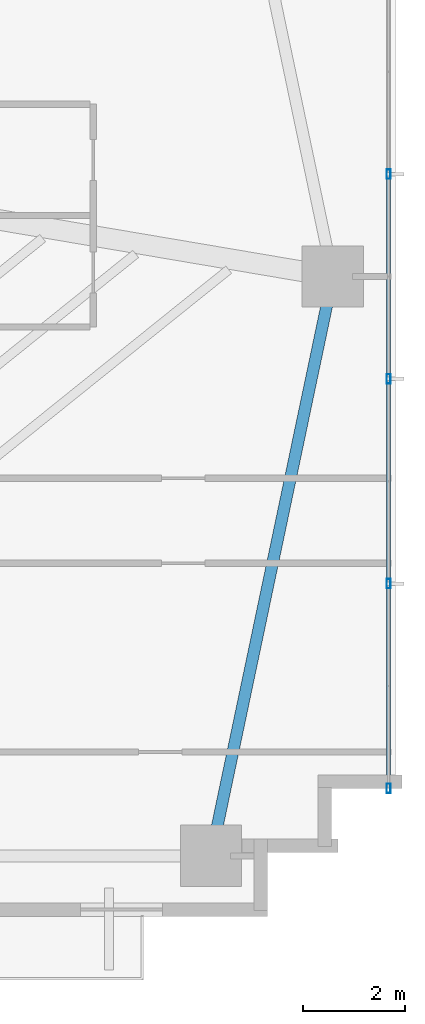
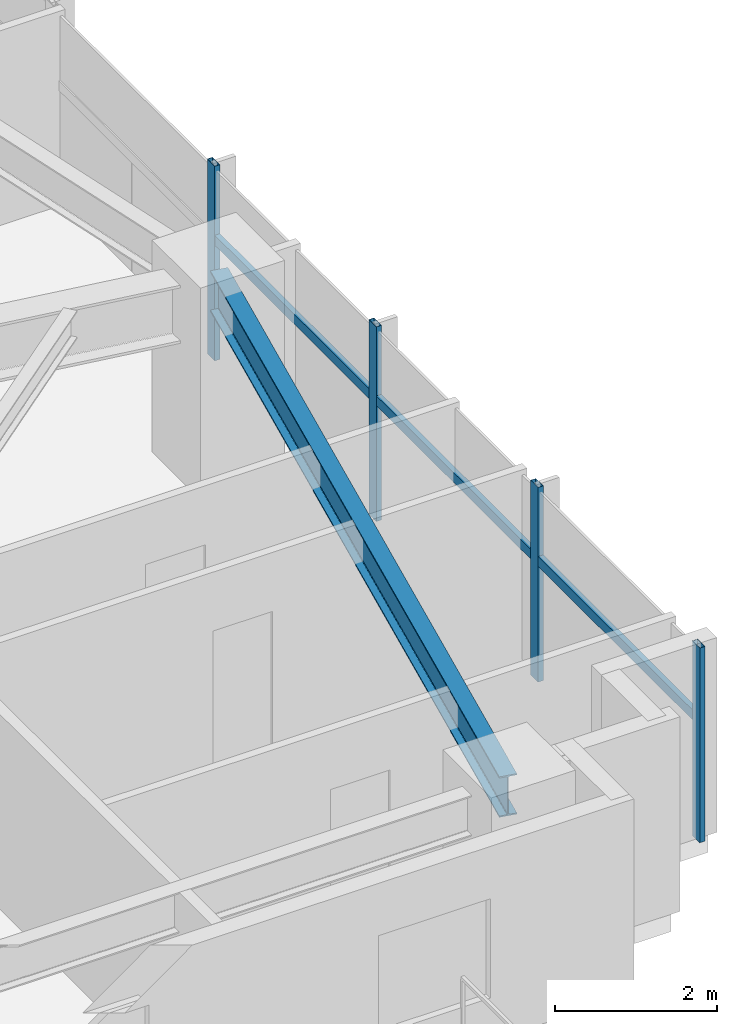
# One storey, part 14 of 25: 7 members, 1 beam, 1 element without a shape of its own.
"""IFC4 building model written with IfcOpenShell, lengths in metres."""

import ifcopenshell
import ifcopenshell.guid

model = None  # the IFC model being written
_history = None  # IfcOwnerHistory: only IFC2X3 demands one
_inside = {}  # id of a spatial element -> (the spatial element, [elements in it])
_under = {}  # id of a project, library or spatial element -> (it, [spatial elements below it])
_declared = {}  # id of a project -> (the project, [libraries it declares])
_typed = {}  # id of a type object -> (the type object, [elements of that type])
_made_of = {}  # id of a material, layer set ... -> (it, [elements and type objects made of it])


def new_model(schema):
    """Start an empty IFC model of exactly this schema.

    Asked for "IFC4X3", IfcOpenShell would pick the latest addendum, in which some entities
    have other attributes; the version numbers below select the first issue.
    IFC2X3 requires an IfcOwnerHistory on every rooted entity: one is made here for all.
    """
    global model, _history
    if schema == "IFC4X3":
        model = ifcopenshell.file(schema_version=(4, 3, 0, 0))
    else:
        model = ifcopenshell.file(schema=schema)
    _inside.clear()
    _under.clear()
    _declared.clear()
    _typed.clear()
    _made_of.clear()
    _history = None
    if model.schema == "IFC2X3":
        org = make("IfcOrganization", Name="unknown")
        user = make(
            "IfcPersonAndOrganization",
            ThePerson=make("IfcPerson", FamilyName="unknown"),
            TheOrganization=org,
        )
        app = make(
            "IfcApplication",
            ApplicationDeveloper=org,
            Version="unknown",
            ApplicationFullName="unknown",
            ApplicationIdentifier="unknown",
        )
        _history = make(
            "IfcOwnerHistory",
            OwningUser=user,
            OwningApplication=app,
            ChangeAction="ADDED",
            CreationDate=0,
        )
    return model


def make(cls, **values):
    """One entity of the class cls with the attributes given. An attribute that is None is left unset."""
    return model.create_entity(
        cls, **{name: value for name, value in values.items() if value is not None}
    )


def rooted(cls, **values):
    """An entity with a GlobalId (a new one), such as an element, a storey or a relation."""
    return make(cls, GlobalId=ifcopenshell.guid.new(), OwnerHistory=_history, **values)


def si_unit(unit_type, name, prefix=None):
    """IfcSIUnit, for example si_unit("LENGTHUNIT", "METRE", prefix="MILLI")."""
    return make("IfcSIUnit", UnitType=unit_type, Prefix=prefix, Name=name)


def assignment(units):
    """IfcUnitAssignment: the units of a project."""
    return None if units is None else make("IfcUnitAssignment", Units=units)


def point(xyz):
    """IfcCartesianPoint."""
    return None if xyz is None else make("IfcCartesianPoint", Coordinates=xyz)


def direction(xyz):
    """IfcDirection."""
    return None if xyz is None else make("IfcDirection", DirectionRatios=xyz)


def frame(location, z_axis=None, x_axis=None):
    """IfcAxis2Placement3D, a coordinate frame: its origin and axes. An axis left out is left unset."""
    return make(
        "IfcAxis2Placement3D",
        Location=point(location),
        Axis=direction(z_axis),
        RefDirection=direction(x_axis),
    )


def frame_2d(location, x_axis=None):
    """IfcAxis2Placement2D, a coordinate frame in the plane: its origin and x axis."""
    return make(
        "IfcAxis2Placement2D", Location=point(location), RefDirection=direction(x_axis)
    )


def origin():
    """The frame at (0, 0, 0) with its axes left unset."""
    return frame((0.0, 0.0, 0.0))


def origin_2d():
    """The frame at (0, 0) in the plane with its x axis left unset."""
    return frame_2d((0.0, 0.0))


def place(relative_to, where):
    """IfcLocalPlacement: puts the frame where relative to a parent placement (None: the world)."""
    return make(
        "IfcLocalPlacement", PlacementRelTo=relative_to, RelativePlacement=where
    )


def context(
    kind, dimensions, precision=None, world=None, true_north=None, identifier=None
):
    """IfcGeometricRepresentationContext, for example the 3D "Model" context."""
    return make(
        "IfcGeometricRepresentationContext",
        ContextIdentifier=identifier,
        ContextType=kind,
        CoordinateSpaceDimension=dimensions,
        Precision=precision,
        WorldCoordinateSystem=world,
        TrueNorth=true_north,
    )


def subcontext(parent, identifier, kind, view, scale=None):
    """IfcGeometricRepresentationSubContext, for example "Body" below "Model"."""
    return make(
        "IfcGeometricRepresentationSubContext",
        ContextIdentifier=identifier,
        ContextType=kind,
        ParentContext=parent,
        TargetScale=scale,
        TargetView=view,
    )


def project(units=None, contexts=None):
    """IfcProject with its units and contexts."""
    return rooted(
        "IfcProject",
        Name="project",
        RepresentationContexts=contexts,
        UnitsInContext=assignment(units),
    )


def spatial(cls, under=None, at=None, **own):
    """A site, building, storey or space (cls), placed at a placement, below another one or the project."""
    s = rooted(cls, ObjectPlacement=at, **own)
    if under is not None:
        _under.setdefault(under.id(), (under, []))[1].append(s)
    return s


def profile(cls, at=None, kind="AREA", **sizes):
    """A parametric profile (cls). Its sizes go by their IFC names, for example OverallWidth=200.0."""
    return make(cls, ProfileType=kind, Position=at, **sizes)


def hollow_rectangle(**sizes):
    """IfcRectangleHollowProfileDef."""
    return profile("IfcRectangleHollowProfileDef", **sizes)


def i_section(**sizes):
    """IfcIShapeProfileDef."""
    return profile("IfcIShapeProfileDef", **sizes)


def extrude(swept, where, along, depth):
    """IfcExtrudedAreaSolid: the profile swept, set in the frame where, extruded along a direction by depth."""
    return make(
        "IfcExtrudedAreaSolid",
        SweptArea=swept,
        Position=where,
        ExtrudedDirection=direction(along),
        Depth=depth,
    )


def shape(context_of_items, identifier, shape_type, items):
    """IfcShapeRepresentation: the items that make up one representation, for example the "Body"."""
    return make(
        "IfcShapeRepresentation",
        ContextOfItems=context_of_items,
        RepresentationIdentifier=identifier,
        RepresentationType=shape_type,
        Items=items,
    )


def source(mapping_origin, context_of_items, identifier, shape_type, items):
    """IfcRepresentationMap: a shape defined once, which mapped items show again and again."""
    return make(
        "IfcRepresentationMap",
        MappingOrigin=mapping_origin,
        MappedRepresentation=shape(context_of_items, identifier, shape_type, items),
    )


def transform(
    local_origin,
    x_axis=None,
    y_axis=None,
    z_axis=None,
    scale=None,
    scale2=None,
    scale3=None,
    uniform=True,
):
    """IfcCartesianTransformationOperator3D, or its non-uniform kind. x_axis, y_axis, z_axis: its Axis1, 2, 3."""
    if uniform:
        return make(
            "IfcCartesianTransformationOperator3D",
            Axis1=direction(x_axis),
            Axis2=direction(y_axis),
            LocalOrigin=point(local_origin),
            Scale=scale,
            Axis3=direction(z_axis),
        )
    return make(
        "IfcCartesianTransformationOperator3DnonUniform",
        Axis1=direction(x_axis),
        Axis2=direction(y_axis),
        LocalOrigin=point(local_origin),
        Scale=scale,
        Axis3=direction(z_axis),
        Scale2=scale2,
        Scale3=scale3,
    )


def mapped(mapping_source, mapping_target):
    """IfcMappedItem: shows the shape of a source again, moved by a transform."""
    return make(
        "IfcMappedItem", MappingSource=mapping_source, MappingTarget=mapping_target
    )


def material(Name=None, Category=None):
    """IfcMaterial."""
    return make("IfcMaterial", Name=Name, Category=Category)


def material_profile(
    of_material, cross_section, Name=None, Category=None, Priority=None
):
    """IfcMaterialProfile: a cross section and its material."""
    return make(
        "IfcMaterialProfile",
        Name=Name,
        Material=of_material,
        Profile=cross_section,
        Priority=Priority,
        Category=Category,
    )


def profile_set(profiles, Name=None, composite=None):
    """IfcMaterialProfileSet."""
    return make(
        "IfcMaterialProfileSet",
        Name=Name,
        MaterialProfiles=profiles,
        CompositeProfile=composite,
    )


def made_of(thing, what):
    """Note that an element or type object is made of a material, layer set ...; save() writes the relation."""
    if what is not None:
        _made_of.setdefault(what.id(), (what, []))[1].append(thing)
    return thing


def type_object(cls, material=None, **own):
    """A type object (cls), such as IfcWallType, which elements share."""
    return made_of(rooted(cls, **own), material)


def type_shapes(of_type, sources):
    """Give a type object the sources (RepresentationMaps) that its elements show as mapped items."""
    of_type.RepresentationMaps = sources


def element(
    cls,
    number,
    at=None,
    inside=None,
    cuts=None,
    type_object=None,
    material=None,
    context=None,
    identifier="Body",
    shape_type=None,
    held_by="IfcProductDefinitionShape",
    body=None,
    shapes=None,
    **own,
):
    """One element of the class cls, such as IfcWall. Its Tag is "e" and its number.

    at: its placement. inside: the storey or other place that contains it. cuts: it is an
    opening in that element (IfcRelVoidsElement). A single representation is given by context,
    identifier, shape_type and body (its items); several are given by shapes. held_by: the class
    of the entity that holds the representations. save() writes the other relations.
    """
    e = rooted(cls, Tag="e%d" % number, ObjectPlacement=at, **own)
    if body is not None:
        shapes = [shape(context, identifier, shape_type, body)]
    if shapes is not None:
        e.Representation = make(held_by, Representations=shapes)
    if inside is not None:
        _inside.setdefault(inside.id(), (inside, []))[1].append(e)
    if cuts is not None:
        rooted(
            "IfcRelVoidsElement", RelatingBuildingElement=cuts, RelatedOpeningElement=e
        )
    if type_object is not None:
        _typed.setdefault(type_object.id(), (type_object, []))[1].append(e)
    return made_of(e, material)


def aggregate(whole, parts):
    """IfcRelAggregates: a whole, such as a stair, and the parts it consists of."""
    return rooted("IfcRelAggregates", RelatingObject=whole, RelatedObjects=parts)


def save(model, path):
    """Write the relations noted so far, then the file.

    IfcRelAggregates (storeys below a building ...), IfcRelContainedInSpatialStructure (elements
    in a storey), IfcRelDefinesByType, IfcRelAssociatesMaterial and IfcRelDeclares: one each for
    every whole, place, type object, material and project.
    """
    for whole, parts in _under.values():
        aggregate(whole, parts)
    for where, things in _inside.values():
        rooted(
            "IfcRelContainedInSpatialStructure",
            RelatedElements=things,
            RelatingStructure=where,
        )
    for kind, things in _typed.values():
        rooted("IfcRelDefinesByType", RelatedObjects=things, RelatingType=kind)
    for what, things in _made_of.values():
        rooted("IfcRelAssociatesMaterial", RelatedObjects=things, RelatingMaterial=what)
    for by, libraries in _declared.values():
        rooted("IfcRelDeclares", RelatingContext=by, RelatedDefinitions=libraries)
    model.write(path)


model = new_model("IFC4")

# Units and contexts
model_context = context("Model", 3, precision=1e-05, world=origin(), true_north=direction((0.0, 1.0)))
body_context = subcontext(model_context, "Body", "Model", "MODEL_VIEW")
ifc_project = project(units=[si_unit("LENGTHUNIT", "METRE"), si_unit("AREAUNIT", "SQUARE_METRE"), si_unit("VOLUMEUNIT", "CUBIC_METRE"), si_unit("PLANEANGLEUNIT", "RADIAN"), si_unit("MASSUNIT", "GRAM", prefix="KILO")], contexts=[model_context])

# Site, building, storey
site_placement = place(None, origin())
site = spatial("IfcSite", under=ifc_project, at=site_placement, CompositionType="ELEMENT")
building_placement = place(site_placement, origin())
building = spatial("IfcBuilding", under=site, at=building_placement, Name="Astriad Promenade Condominiums", CompositionType="ELEMENT")
storey_placement = place(building_placement, frame((0.0, 0.0, 35.800048828125)))
storey = spatial("IfcBuildingStorey", under=building, at=storey_placement, Name="L09", CompositionType="ELEMENT", Elevation=35.800048828125)

# Beam
ifc_material_1 = material(Name="Steel ASTM A992 Grade 50", Category="steel")
ifc_material_profile_1 = material_profile(ifc_material_1, i_section(OverallWidth=0.22900390625, OverallDepth=0.612060546875, WebThickness=0.011962890625, FlangeThickness=0.01953125, FilletRadius=0.017822265625, at=origin_2d()), Name="W24X84")
ifc_profile_set_1 = profile_set([ifc_material_profile_1], Name="Steel ASTM A992 Grade 50")
beam_type = type_object("IfcBeamType", Name="STEEL SPANDREL BEAM W24X84", PredefinedType="SPANDREL", material=ifc_profile_set_1)
shared_shape_1 = source(origin(), body_context, "Body", "SweptSolid", [
    extrude(i_section(OverallWidth=0.22900390625, OverallDepth=0.612060546875, WebThickness=0.011962890625, FlangeThickness=0.01953125, FilletRadius=0.017822265625, at=origin_2d()), origin(), (0.0, 0.0, 1.0), 11.487548828125),
])
type_shapes(beam_type, [shared_shape_1])
beam_placement = place(storey_placement, frame((56.208251953125, 3.919189453125, 2.634033203125), z_axis=(0.205748055501, 0.978604995725, 0.0), x_axis=(-0.978604995725, 0.205748055501, 0.0)))
element("IfcBeam", 1, at=beam_placement, inside=storey, type_object=beam_type, Name="Perimeter Spandrel Beam SP-E1-L09", PredefinedType="SPANDREL", context=body_context, shape_type="MappedRepresentation", body=[
    mapped(shared_shape_1, transform((0.0, 0.0, 0.0), scale=1.0)),
])

# Curtain wall, members
ifc_material_2 = material(Name="Anodised aluminium Black Dark Glass Unitised", Category="aluminium")
curtain_wall_type = type_object("IfcCurtainWallType", Name="CW-B1-DARK", PredefinedType="USERDEFINED", material=ifc_material_2)
curtain_wall_placement = place(storey_placement, origin())
curtain_wall = element("IfcCurtainWall", 2, at=curtain_wall_placement, inside=storey, type_object=curtain_wall_type, Name="CW-L09-E", ObjectType="UNITISED_CURTAIN_WALL", PredefinedType="USERDEFINED")
ifc_material_3 = material(Name="Anodised aluminium 6063-T6 Black", Category="aluminium")
ifc_material_profile_2 = material_profile(ifc_material_3, hollow_rectangle(XDim=0.074951171875, YDim=0.18505859375, WallThickness=0.00439453125, at=origin_2d()), Name="ALU-MUL-75X185")
ifc_profile_set_2 = profile_set([ifc_material_profile_2], Name="Anodised aluminium 6063-T6 Black")
member_type_1 = type_object("IfcMemberType", Name="MUL-ALU-MUL-75X185", PredefinedType="MULLION", material=ifc_profile_set_2)
shared_shape_2 = source(origin(), body_context, "Body", "SweptSolid", [
    extrude(hollow_rectangle(XDim=0.074951171875, YDim=0.18505859375, WallThickness=0.00439453125, at=origin_2d()), origin(), (0.0, 0.0, 1.0), 2.93994140625),
])
type_shapes(member_type_1, [shared_shape_2])
member_1_placement = place(storey_placement, frame((59.669921875, 17.199951171875, 0.0), z_axis=(0.0, 0.0, 1.0), x_axis=(1.0, 0.0, 0.0)))
member_1 = element("IfcMember", 3, at=member_1_placement, type_object=member_type_1, Name="CW-L09-E-MUL-02", PredefinedType="MULLION", context=body_context, shape_type="MappedRepresentation", body=[
    mapped(shared_shape_2, transform((0.0, 0.0, 0.0), scale=1.0)),
])
member_2_placement = place(storey_placement, frame((59.669921875, 13.199951171875, 0.0), z_axis=(0.0, 0.0, 1.0), x_axis=(1.0, 0.0, 0.0)))
member_2 = element("IfcMember", 4, at=member_2_placement, type_object=member_type_1, Name="CW-L09-E-MUL-03", PredefinedType="MULLION", context=body_context, shape_type="MappedRepresentation", body=[
    mapped(shared_shape_2, transform((0.0, 0.0, 0.0), scale=1.0)),
])
member_3_placement = place(storey_placement, frame((59.669921875, 9.199951171875, 0.0), z_axis=(0.0, 0.0, 1.0), x_axis=(1.0, 0.0, 0.0)))
member_3 = element("IfcMember", 5, at=member_3_placement, type_object=member_type_1, Name="CW-L09-E-MUL-04", PredefinedType="MULLION", context=body_context, shape_type="MappedRepresentation", body=[
    mapped(shared_shape_2, transform((0.0, 0.0, 0.0), scale=1.0)),
])
member_4_placement = place(storey_placement, frame((59.669921875, 5.199951171875, 0.0), z_axis=(0.0, 0.0, 1.0), x_axis=(1.0, 0.0, 0.0)))
member_4 = element("IfcMember", 6, at=member_4_placement, type_object=member_type_1, Name="CW-L09-E-MUL-05", PredefinedType="MULLION", context=body_context, shape_type="MappedRepresentation", body=[
    mapped(shared_shape_2, transform((0.0, 0.0, 0.0), scale=1.0)),
])
ifc_material_profile_3 = material_profile(ifc_material_3, hollow_rectangle(XDim=0.074951171875, YDim=0.14990234375, WallThickness=0.004150390625, at=origin_2d()), Name="ALU-TRN-75X150")
ifc_profile_set_3 = profile_set([ifc_material_profile_3], Name="Anodised aluminium 6063-T6 Black")
member_type_2 = type_object("IfcMemberType", Name="TRN-ALU-TRN-75X150", PredefinedType="USERDEFINED", material=ifc_profile_set_3)
shared_shape_3 = source(origin(), body_context, "Body", "SweptSolid", [
    extrude(hollow_rectangle(XDim=0.074951171875, YDim=0.14990234375, WallThickness=0.004150390625, at=origin_2d()), origin(), (0.0, 0.0, 1.0), 4.0),
])
type_shapes(member_type_2, [shared_shape_3])
member_5_placement = place(storey_placement, frame((59.669921875, 17.199951171875, 1.82275390625), z_axis=(0.0, -1.0, 0.0), x_axis=(1.0, 0.0, 0.0)))
member_5 = element("IfcMember", 7, at=member_5_placement, type_object=member_type_2, Name="CW-L09-E-TRN-02-0", ObjectType="TRANSOM", PredefinedType="USERDEFINED", context=body_context, shape_type="MappedRepresentation", body=[
    mapped(shared_shape_3, transform((0.0, 0.0, 0.0), scale=1.0)),
])
member_6_placement = place(storey_placement, frame((59.669921875, 13.199951171875, 1.82275390625), z_axis=(0.0, -1.0, 0.0), x_axis=(1.0, 0.0, 0.0)))
member_6 = element("IfcMember", 8, at=member_6_placement, type_object=member_type_2, Name="CW-L09-E-TRN-03-0", ObjectType="TRANSOM", PredefinedType="USERDEFINED", context=body_context, shape_type="MappedRepresentation", body=[
    mapped(shared_shape_3, transform((0.0, 0.0, 0.0), scale=1.0)),
])
member_7_placement = place(storey_placement, frame((59.669921875, 9.199951171875, 1.82275390625), z_axis=(0.0, -1.0, 0.0), x_axis=(1.0, 0.0, 0.0)))
member_7 = element("IfcMember", 9, at=member_7_placement, type_object=member_type_2, Name="CW-L09-E-TRN-04-0", ObjectType="TRANSOM", PredefinedType="USERDEFINED", context=body_context, shape_type="MappedRepresentation", body=[
    mapped(shared_shape_3, transform((0.0, 0.0, 0.0), scale=1.0)),
])
aggregate(curtain_wall, [member_1, member_2, member_3, member_4, member_5, member_6, member_7])

save(model, "model.ifc")
